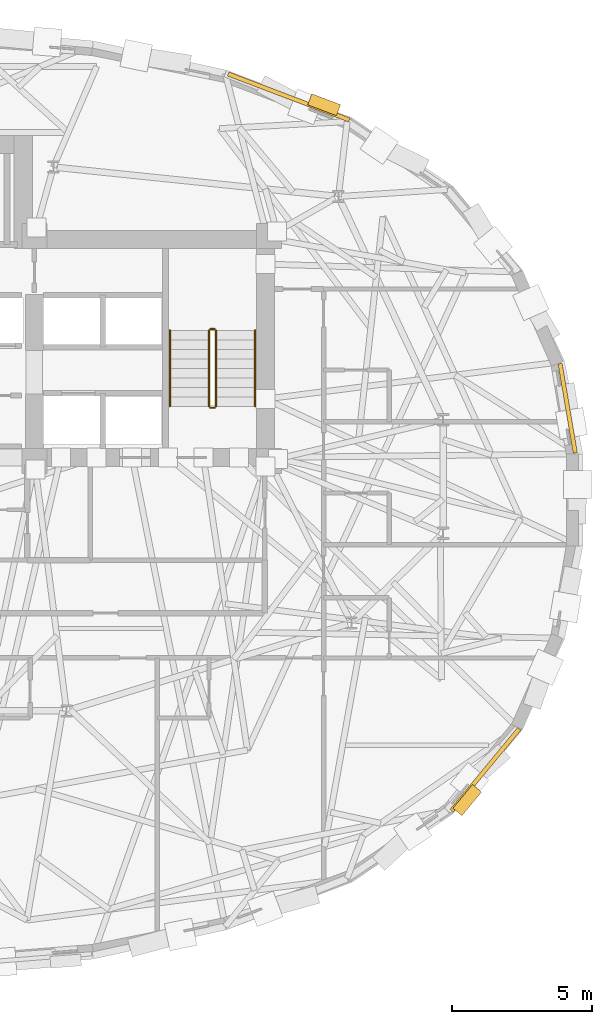
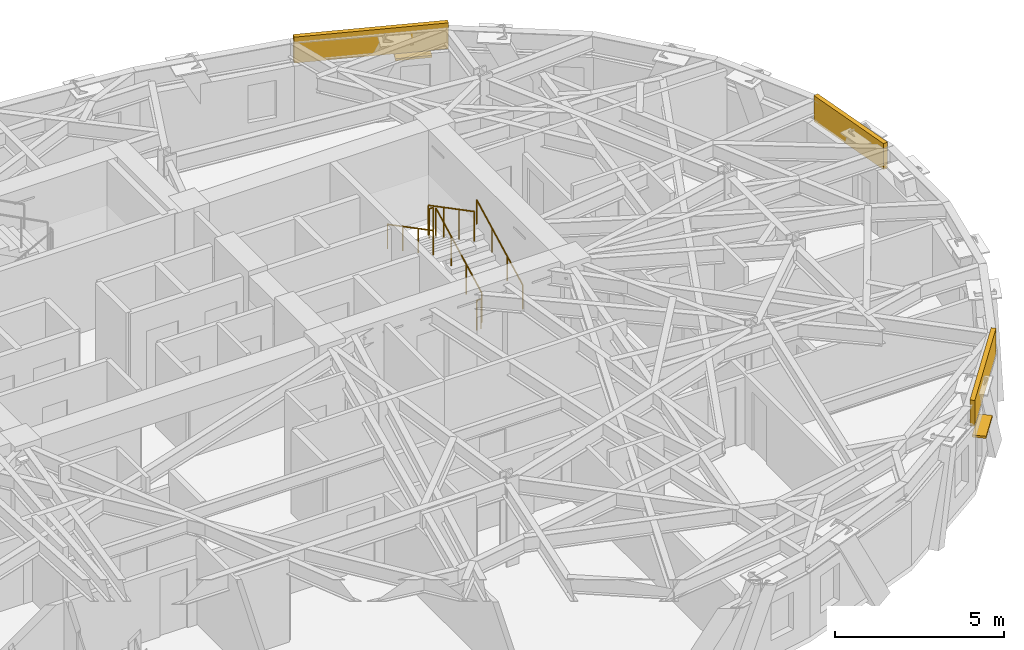
# One storey, part 14 of 15: 6 railings, 3 coverings, 2 shading devices.
"""IFC4 building model written with IfcOpenShell, lengths in metres."""

from ifc_helpers import new_model, si_unit, direction, frame, origin, origin_2d, place, context, subcontext, project, spatial, rectangle, circle, extrude, material, layer, layer_set, type_object, element, save


model = new_model("IFC4")

# Units and contexts
model_context = context("Model", 3, precision=1e-05, world=origin(), true_north=direction((0.0, 1.0)))
body_context = subcontext(model_context, "Body", "Model", "MODEL_VIEW")
ifc_project = project(units=[si_unit("LENGTHUNIT", "METRE"), si_unit("AREAUNIT", "SQUARE_METRE"), si_unit("VOLUMEUNIT", "CUBIC_METRE"), si_unit("PLANEANGLEUNIT", "RADIAN"), si_unit("MASSUNIT", "GRAM", prefix="KILO")], contexts=[model_context])

# Site, building, storey
site_placement = place(None, origin())
site = spatial("IfcSite", under=ifc_project, at=site_placement, CompositionType="ELEMENT")
building_placement = place(site_placement, origin())
building = spatial("IfcBuilding", under=site, at=building_placement, Name="Keldmark Tower", CompositionType="ELEMENT")
storey_placement = place(building_placement, frame((0.0, 0.0, 150.199951171875)))
storey = spatial("IfcBuildingStorey", under=building, at=storey_placement, Name="L40", CompositionType="ELEMENT", Elevation=150.199951171875)

# Shading devices
ifc_material_1 = material(Name="Kasota Buff Limestone Bullnose and Bronze Anodized Aluminum", Category="masonry")
ifc_layer_1 = layer(ifc_material_1, 0.080078125)
ifc_layer_set_1 = layer_set([ifc_layer_1], Name="Kasota Buff Limestone Bullnose and Bronze Anodized Aluminum")
shading_device_type = type_object("IfcShadingDeviceType", Name="Deep-Set Punched Window Stone-and-Metal Sunshade", PredefinedType="AWNING", material=ifc_layer_set_1)
for number, where, z_axis, x_axis, name in (
    (1, (15.569580078125, 14.144287109375, 1.93994140625), (0.0, 0.0, 1.0), (0.934875249569, -0.354976432659, 0.0), "L40 Kasota Stone Window Sunshade 05"),
    (2, (20.6904296875, -10.73974609375, 1.780029296875), (0.0, 0.0, 1.0), (-0.637033916319, -0.770835773339, 0.0), "L40 Kasota Stone Window Sunshade 29"),
):
    element("IfcShadingDevice", number, at=place(storey_placement, frame(where, z_axis=z_axis, x_axis=x_axis)), inside=storey, type_object=shading_device_type, Name=name, PredefinedType="AWNING", context=body_context, shape_type="SweptSolid", body=[
        extrude(rectangle(XDim=1.10009765625, YDim=0.419921875, at=origin_2d()), origin(), (0.0, 0.0, 1.0), 0.080078125),
    ])

# Coverings
ifc_material_2 = material(Name="Honed Kasota Buff Dolomitic Limestone", Category="masonry")
ifc_layer_2 = layer(ifc_material_2, 0.074951171875)
ifc_layer_set_2 = layer_set([ifc_layer_2], Name="Honed Kasota Buff Dolomitic Limestone")
covering_type = type_object("IfcCoveringType", Name="Kasota Buff Limestone Spandrel Cladding Band", PredefinedType="CLADDING", material=ifc_layer_set_2)
covering_1_placement = place(storey_placement, frame((24.28564453125, 3.2841796875, 2.239013671875), z_axis=(0.0, 0.0, 1.0), x_axis=(-0.168059269265, 0.985776892615, 0.0)))
element("IfcCovering", 3, at=covering_1_placement, inside=storey, type_object=covering_type, Name="L40 Kasota Limestone Spandrel Band 01", PredefinedType="CLADDING", context=body_context, shape_type="SweptSolid", body=[
    extrude(rectangle(XDim=3.23828125, YDim=0.14990234375, at=origin_2d()), origin(), (0.0, 0.0, 1.0), 0.94091796875),
])
covering_2_placement = place(storey_placement, frame((14.302490234375, 14.422119140625, 2.239013671875), z_axis=(0.0, 0.0, 1.0), x_axis=(-0.934875249569, 0.354976432659, 0.0)))
element("IfcCovering", 4, at=covering_2_placement, inside=storey, type_object=covering_type, Name="L40 Kasota Limestone Spandrel Band 05", PredefinedType="CLADDING", context=body_context, shape_type="SweptSolid", body=[
    extrude(rectangle(XDim=4.634521484375, YDim=0.14990234375, at=origin_2d()), origin(), (0.0, 0.0, 1.0), 0.94091796875),
])
covering_3_placement = place(storey_placement, frame((21.343505859375, -9.6513671875, 2.239013671875), z_axis=(0.0, 0.0, 1.0), x_axis=(0.637033916319, 0.770835773339, 0.0)))
element("IfcCovering", 5, at=covering_3_placement, inside=storey, type_object=covering_type, Name="L40 Kasota Limestone Spandrel Band 29", PredefinedType="CLADDING", context=body_context, shape_type="SweptSolid", body=[
    extrude(rectangle(XDim=3.78857421875, YDim=0.14990234375, at=origin_2d()), origin(), (0.0, 0.0, 1.0), 0.94091796875),
])

# Railings
ifc_material_3 = material(Name="Painted Steel ASTM A500 Grade B", Category="steel")
railing_type_1 = type_object("IfcRailingType", Name="Painted Steel Stair Well Guard 1100 mm", PredefinedType="GUARDRAIL", material=ifc_material_3)
railing_1_placement = place(storey_placement, frame((11.699951171875, 3.35009765625, 0.177734375)))
element("IfcRailing", 6, at=railing_1_placement, inside=storey, type_object=railing_type_1, Name="L40 ST2 stair guard 1", PredefinedType="GUARDRAIL", context=body_context, shape_type="SweptSolid", body=[
    extrude(circle(Radius=0.02392578125, at=origin_2d()), frame((0.0, 0.0, 1.076171875), z_axis=(0.0, 0.886150474775, 0.463397600399), x_axis=(-1.0, 0.0, 0.0)), (0.0, 0.0, 1.0), 3.0693359375),
    extrude(circle(Radius=0.02099609375, at=origin_2d()), origin(), (0.0, 0.0, 1.0), 1.052001953125),
    extrude(circle(Radius=0.02099609375, at=origin_2d()), frame((0.0, 0.90673828125, 0.47412109375)), (0.0, 0.0, 1.0), 1.052001953125),
    extrude(circle(Radius=0.02099609375, at=origin_2d()), frame((0.0, 1.813232421875, 0.9482421875)), (0.0, 0.0, 1.0), 1.052001953125),
    extrude(circle(Radius=0.02099609375, at=origin_2d()), frame((0.0, 2.719970703125, 1.42236328125)), (0.0, 0.0, 1.0), 1.052001953125),
])
railing_2_placement = place(storey_placement, frame((11.64990234375, 6.1201171875, 1.60009765625)))
element("IfcRailing", 7, at=railing_2_placement, inside=storey, type_object=railing_type_1, Name="L40 ST2 stair guard 2", PredefinedType="GUARDRAIL", context=body_context, shape_type="SweptSolid", body=[
    extrude(circle(Radius=0.02392578125, at=origin_2d()), frame((0.0, 0.0, 1.076171875), z_axis=(-1.0, 0.0, 0.0), x_axis=(0.0, -1.0, 0.0)), (0.0, 0.0, 1.0), 0.14990234375),
    extrude(circle(Radius=0.02099609375, at=origin_2d()), origin(), (0.0, 0.0, 1.0), 1.052001953125),
    extrude(circle(Radius=0.02099609375, at=origin_2d()), frame((-0.14990234375, 0.0, 0.0)), (0.0, 0.0, 1.0), 1.052001953125),
])
railing_3_placement = place(storey_placement, frame((11.449951171875, 6.070068359375, 1.77783203125)))
element("IfcRailing", 8, at=railing_3_placement, inside=storey, type_object=railing_type_1, Name="L40 ST2 stair guard 3", PredefinedType="GUARDRAIL", context=body_context, shape_type="SweptSolid", body=[
    extrude(circle(Radius=0.02392578125, at=origin_2d()), frame((0.0, 0.0, 1.076171875), z_axis=(0.0, -0.886183135912, 0.463335137482), x_axis=(1.0, 0.0, 0.0)), (0.0, 0.0, 1.0), 3.0693359375),
    extrude(circle(Radius=0.02099609375, at=origin_2d()), origin(), (0.0, 0.0, 1.0), 1.052001953125),
    extrude(circle(Radius=0.02099609375, at=origin_2d()), frame((0.0, -0.90673828125, 0.47412109375)), (0.0, 0.0, 1.0), 1.052001953125),
    extrude(circle(Radius=0.02099609375, at=origin_2d()), frame((0.0, -1.813232421875, 0.947998046875)), (0.0, 0.0, 1.0), 1.052001953125),
    extrude(circle(Radius=0.02099609375, at=origin_2d()), frame((0.0, -2.719970703125, 1.422119140625)), (0.0, 0.0, 1.0), 1.052001953125),
])
railing_4_placement = place(storey_placement, frame((11.64990234375, 3.300048828125, 0.0)))
element("IfcRailing", 9, at=railing_4_placement, inside=storey, type_object=railing_type_1, Name="L40 ST2 stair guard 4", PredefinedType="GUARDRAIL", context=body_context, shape_type="SweptSolid", body=[
    extrude(circle(Radius=0.02392578125, at=origin_2d()), frame((0.0, 0.0, 1.076171875), z_axis=(-1.0, 0.0, 0.0), x_axis=(0.0, -1.0, 0.0)), (0.0, 0.0, 1.0), 0.14990234375),
    extrude(circle(Radius=0.02099609375, at=origin_2d()), origin(), (0.0, 0.0, 1.0), 1.052001953125),
    extrude(circle(Radius=0.02099609375, at=origin_2d()), frame((-0.14990234375, 0.0, 0.0)), (0.0, 0.0, 1.0), 1.052001953125),
])
ifc_material_4 = material(Name="Stainless Steel AISI 316L", Category="steel")
railing_type_2 = type_object("IfcRailingType", Name="Stainless Steel Stair Handrail 900 mm", PredefinedType="HANDRAIL", material=ifc_material_4)
railing_5_placement = place(storey_placement, frame((13.10009765625, 3.35009765625, 0.177734375)))
element("IfcRailing", 10, at=railing_5_placement, inside=storey, type_object=railing_type_2, Name="L40 ST2 stair handrail 1", PredefinedType="HANDRAIL", context=body_context, shape_type="SweptSolid", body=[
    extrude(circle(Radius=0.02392578125, at=origin_2d()), frame((0.0, 0.0, 0.8759765625), z_axis=(0.0, 0.886150474775, 0.463397600399), x_axis=(-1.0, 0.0, 0.0)), (0.0, 0.0, 1.0), 3.0693359375),
    extrude(circle(Radius=0.02099609375, at=origin_2d()), origin(), (0.0, 0.0, 1.0), 0.851806640625),
    extrude(circle(Radius=0.02099609375, at=origin_2d()), frame((0.0, 0.90673828125, 0.47412109375)), (0.0, 0.0, 1.0), 0.851806640625),
    extrude(circle(Radius=0.02099609375, at=origin_2d()), frame((0.0, 1.813232421875, 0.9482421875)), (0.0, 0.0, 1.0), 0.851806640625),
    extrude(circle(Radius=0.02099609375, at=origin_2d()), frame((0.0, 2.719970703125, 1.42236328125)), (0.0, 0.0, 1.0), 0.851806640625),
])
railing_6_placement = place(storey_placement, frame((10.050048828125, 6.070068359375, 1.77783203125)))
element("IfcRailing", 11, at=railing_6_placement, inside=storey, type_object=railing_type_2, Name="L40 ST2 stair handrail 2", PredefinedType="HANDRAIL", context=body_context, shape_type="SweptSolid", body=[
    extrude(circle(Radius=0.02392578125, at=origin_2d()), frame((0.0, 0.0, 0.8759765625), z_axis=(0.0, -0.886183135912, 0.463335137482), x_axis=(1.0, 0.0, 0.0)), (0.0, 0.0, 1.0), 3.0693359375),
    extrude(circle(Radius=0.02099609375, at=origin_2d()), origin(), (0.0, 0.0, 1.0), 0.851806640625),
    extrude(circle(Radius=0.02099609375, at=origin_2d()), frame((0.0, -0.90673828125, 0.47412109375)), (0.0, 0.0, 1.0), 0.851806640625),
    extrude(circle(Radius=0.02099609375, at=origin_2d()), frame((0.0, -1.813232421875, 0.947998046875)), (0.0, 0.0, 1.0), 0.851806640625),
    extrude(circle(Radius=0.02099609375, at=origin_2d()), frame((0.0, -2.719970703125, 1.422119140625)), (0.0, 0.0, 1.0), 0.851806640625),
])

save(model, "model.ifc")
